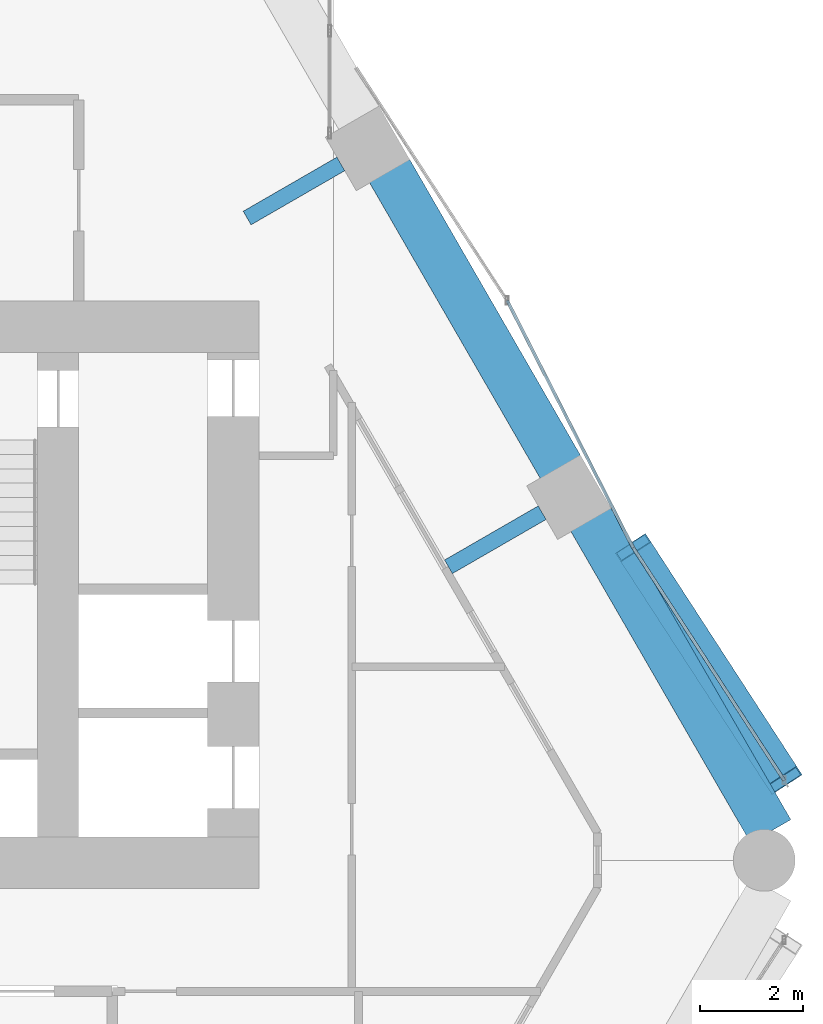
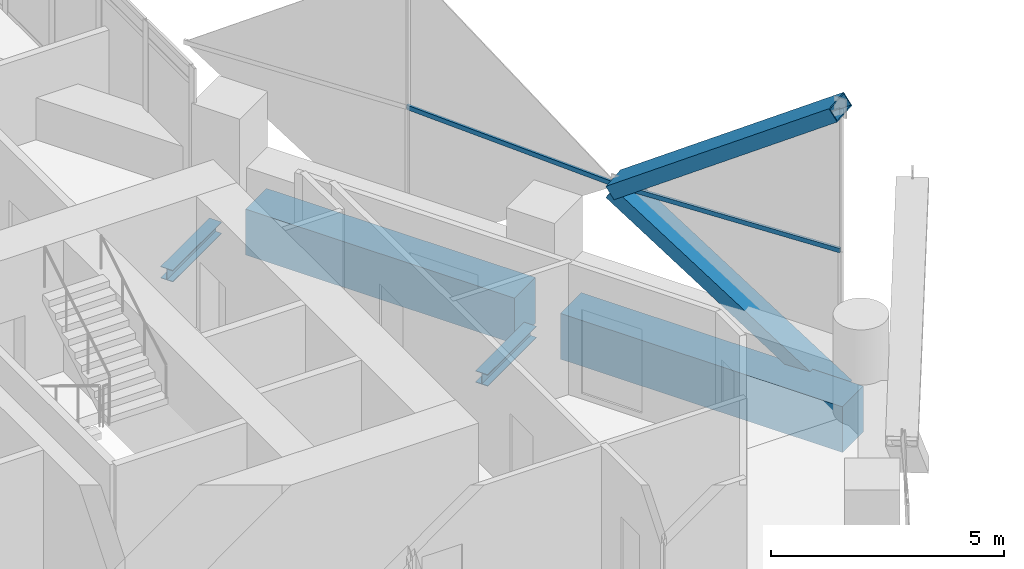
# One storey, part 21 of 36: 4 beams, 4 members, 1 element without a shape of its own.
"""IFC4 building model written with IfcOpenShell, lengths in metres."""

from ifc_helpers import new_model, si_unit, direction, frame, origin, origin_2d, place, context, subcontext, project, spatial, rectangle, hollow_rectangle, i_section, extrude, material, material_profile, profile_set, type_object, element, aggregate, save


model = new_model("IFC4")

# Units and contexts
model_context = context("Model", 3, precision=1e-05, world=origin(), true_north=direction((0.0, 1.0)))
body_context = subcontext(model_context, "Body", "Model", "MODEL_VIEW")
ifc_project = project(units=[si_unit("LENGTHUNIT", "METRE"), si_unit("AREAUNIT", "SQUARE_METRE"), si_unit("VOLUMEUNIT", "CUBIC_METRE"), si_unit("PLANEANGLEUNIT", "RADIAN"), si_unit("MASSUNIT", "GRAM", prefix="KILO")], contexts=[model_context])

# Site, building, storey
site_placement = place(None, origin())
site = spatial("IfcSite", under=ifc_project, at=site_placement, CompositionType="ELEMENT")
building_placement = place(site_placement, origin())
building = spatial("IfcBuilding", under=site, at=building_placement, Name="Ostrander Bayou Hotel Tower", CompositionType="ELEMENT")
storey_placement = place(building_placement, frame((0.0, 0.0, 138.5)))
storey = spatial("IfcBuildingStorey", under=building, at=storey_placement, Name="L34", CompositionType="ELEMENT", Elevation=138.5)

# Curtain wall, members
ifc_material_1 = material(Name="Aluminium and clear glass", Category="aluminium")
curtain_wall_type = type_object("IfcCurtainWallType", Name="CW-LAT lattice glazing", PredefinedType="NOTDEFINED", material=ifc_material_1)
curtain_wall_placement = place(storey_placement, origin())
curtain_wall = element("IfcCurtainWall", 1, at=curtain_wall_placement, inside=storey, type_object=curtain_wall_type, Name="CW-LAT L34 NE 2", PredefinedType="NOTDEFINED")
ifc_material_2 = material(Name="Aluminium", Category="aluminium")
ifc_material_profile_1 = material_profile(ifc_material_2, hollow_rectangle(XDim=0.06005859375, YDim=0.1201171875, WallThickness=0.00390625, at=origin_2d()))
ifc_profile_set_1 = profile_set([ifc_material_profile_1], Name="Aluminium")
member_type_1 = type_object("IfcMemberType", Name="CW-LA transom 60 x 120 mm", PredefinedType="USERDEFINED", material=ifc_profile_set_1)
member_1_placement = place(storey_placement, frame((22.188720703125, 0.39501953125, 3.14990234375), z_axis=(-0.544655155418, 0.838660099013, 0.0), x_axis=(-0.838660099013, -0.544655155418, 0.0)))
member_1 = element("IfcMember", 2, at=member_1_placement, type_object=member_type_1, Name="CW-LAT transom 3", ObjectType="TRANSOM", PredefinedType="USERDEFINED", context=body_context, shape_type="SweptSolid", body=[
    extrude(hollow_rectangle(XDim=0.06005859375, YDim=0.1201171875, WallThickness=0.00390625, at=origin_2d()), origin(), (0.0, 0.0, 1.0), 5.383544921875),
])
member_2_placement = place(storey_placement, frame((16.8125, 9.706787109375, 3.14990234375), z_axis=(0.45398488229, -0.891009386399, 0.0), x_axis=(0.891009386399, 0.45398488229, 0.0)))
member_2 = element("IfcMember", 3, at=member_2_placement, type_object=member_type_1, Name="CW-LAT transom 6", ObjectType="TRANSOM", PredefinedType="USERDEFINED", context=body_context, shape_type="SweptSolid", body=[
    extrude(hollow_rectangle(XDim=0.06005859375, YDim=0.1201171875, WallThickness=0.00390625, at=origin_2d()), origin(), (0.0, 0.0, 1.0), 5.383544921875),
])
aggregate(curtain_wall, [member_1, member_2])

# Beams
ifc_material_3 = material(Name="Steel ASTM A992", Category="steel")
ifc_material_profile_2 = material_profile(ifc_material_3, i_section(OverallWidth=0.3046875, OverallDepth=0.307861328125, WebThickness=0.010009765625, FlangeThickness=0.015380859375, at=origin_2d()))
ifc_profile_set_2 = profile_set([ifc_material_profile_2], Name="Steel ASTM A992")
beam_type_1 = type_object("IfcBeamType", Name="LB1 loggia bracket W12x65", PredefinedType="BEAM", material=ifc_profile_set_2)
beam_1_placement = place(storey_placement, frame((17.492919921875, 5.58837890625, -0.453857421875), z_axis=(-0.866009402589, -0.500027713859, 0.0), x_axis=(0.500027713859, -0.866009402589, 0.0)))
element("IfcBeam", 4, at=beam_1_placement, inside=storey, type_object=beam_type_1, Name="LB1 L34 NE1", PredefinedType="BEAM", context=body_context, shape_type="SweptSolid", body=[
    extrude(i_section(OverallWidth=0.3046875, OverallDepth=0.307861328125, WebThickness=0.010009765625, FlangeThickness=0.015380859375, at=origin_2d()), origin(), (0.0, 0.0, 1.0), 2.10009765625),
])
beam_2_placement = place(storey_placement, frame((13.586181640625, 12.35498046875, -0.453857421875), z_axis=(-0.866059744384, -0.49994051562, 0.0), x_axis=(0.49994051562, -0.866059744384, 0.0)))
element("IfcBeam", 5, at=beam_2_placement, inside=storey, type_object=beam_type_1, Name="LB1 L34 NE2", PredefinedType="BEAM", context=body_context, shape_type="SweptSolid", body=[
    extrude(i_section(OverallWidth=0.3046875, OverallDepth=0.307861328125, WebThickness=0.010009765625, FlangeThickness=0.015380859375, at=origin_2d()), origin(), (0.0, 0.0, 1.0), 2.099853515625),
])

# Members
ifc_material_4 = material(Name="Steel ASTM A572 Gr 50", Category="steel")
ifc_material_profile_3 = material_profile(ifc_material_4, hollow_rectangle(XDim=0.699951171875, YDim=0.35009765625, WallThickness=0.02490234375, at=origin_2d()))
ifc_profile_set_3 = profile_set([ifc_material_profile_3], Name="Steel ASTM A572 Gr 50")
member_type_2 = type_object("IfcMemberType", Name="LT1 lattice member box 700 x 350 x 25 mm", PredefinedType="BRACE", material=ifc_profile_set_3)
for number, where, z_axis, x_axis, name in (
    (6, (19.256591796875, 4.909912109375, 3.14990234375), (0.44691616916, -0.688161591696, -0.571576382872), (0.838660099013, 0.544655155418, 0.0), "LT1 L34 NE 1"),
    (7, (19.256591796875, 4.909912109375, 3.14990234375), (0.44691616916, -0.688161591696, 0.571576382872), (0.838660099013, 0.544655155418, 0.0), "LT1 L34 NE 2"),
):
    element("IfcMember", number, at=place(storey_placement, frame(where, z_axis=z_axis, x_axis=x_axis)), inside=storey, type_object=member_type_2, Name=name, PredefinedType="BRACE", context=body_context, shape_type="SweptSolid", body=[
        extrude(hollow_rectangle(XDim=0.699951171875, YDim=0.35009765625, WallThickness=0.02490234375, at=origin_2d()), origin(), (0.0, 0.0, 1.0), 6.560791015625),
    ])

# Beams
ifc_material_5 = material(Name="Concrete f'c 70 MPa", Category="concrete")
ifc_material_profile_4 = material_profile(ifc_material_5, rectangle(XDim=0.89990234375, YDim=1.199951171875, at=origin_2d()))
ifc_profile_set_4 = profile_set([ifc_material_profile_4], Name="Concrete f'c 70 MPa")
beam_type_2 = type_object("IfcBeamType", Name="SP2 spandrel beam 900 x 1200 mm f'c 70 MPa", PredefinedType="SPANDREL", material=ifc_profile_set_4)
beam_3_placement = place(storey_placement, frame((21.927734375, -0.593017578125, -0.60009765625), z_axis=(-0.499991127072, 0.866030526511, 0.0), x_axis=(-0.866030526511, -0.499991127072, 0.0)))
element("IfcBeam", 8, at=beam_3_placement, inside=storey, type_object=beam_type_2, Name="SP2 L34 NE-1", PredefinedType="SPANDREL", context=body_context, shape_type="SweptSolid", body=[
    extrude(rectangle(XDim=0.89990234375, YDim=1.199951171875, at=origin_2d()), origin(), (0.0, 0.0, 1.0), 7.000732421875),
])
beam_4_placement = place(storey_placement, frame((17.857421875, 6.45703125, -0.60009765625), z_axis=(-0.499983182885, 0.866035112932, 0.0), x_axis=(-0.866035112932, -0.499983182885, 0.0)))
element("IfcBeam", 9, at=beam_4_placement, inside=storey, type_object=beam_type_2, Name="SP2 L34 NE-2", PredefinedType="SPANDREL", context=body_context, shape_type="SweptSolid", body=[
    extrude(rectangle(XDim=0.89990234375, YDim=1.199951171875, at=origin_2d()), origin(), (0.0, 0.0, 1.0), 6.673583984375),
])

save(model, "model.ifc")
